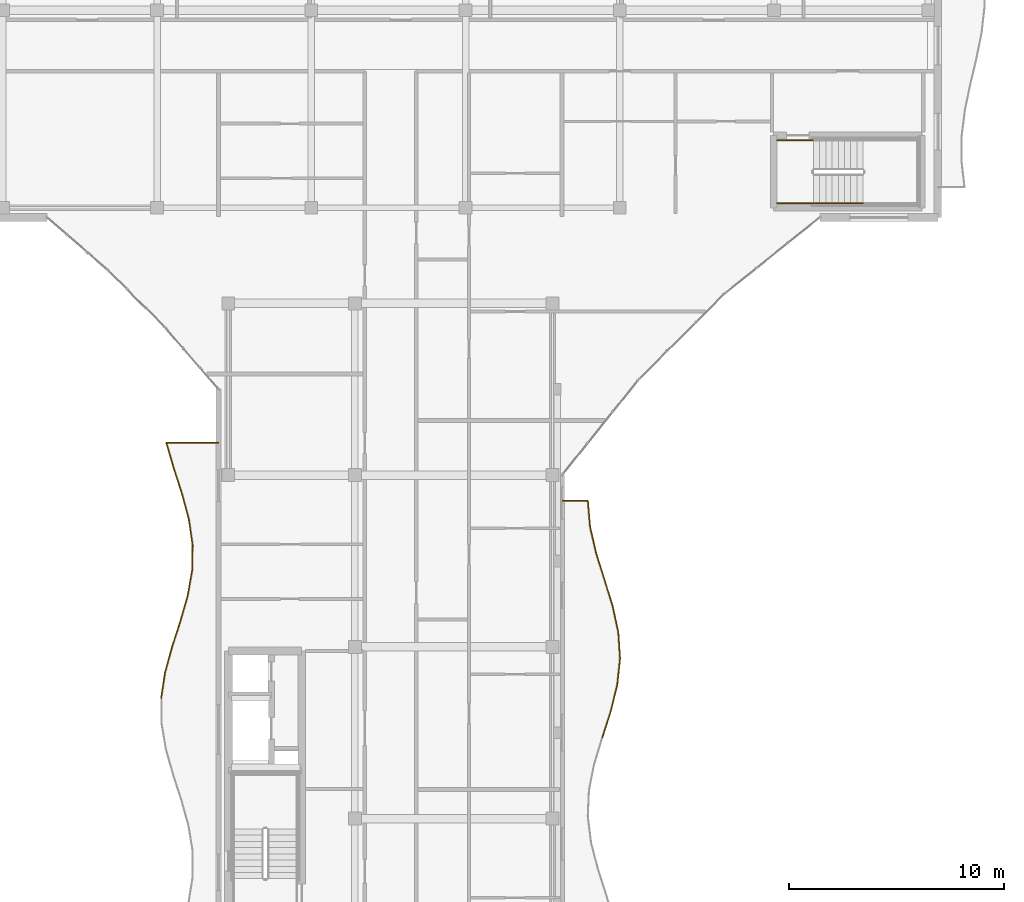
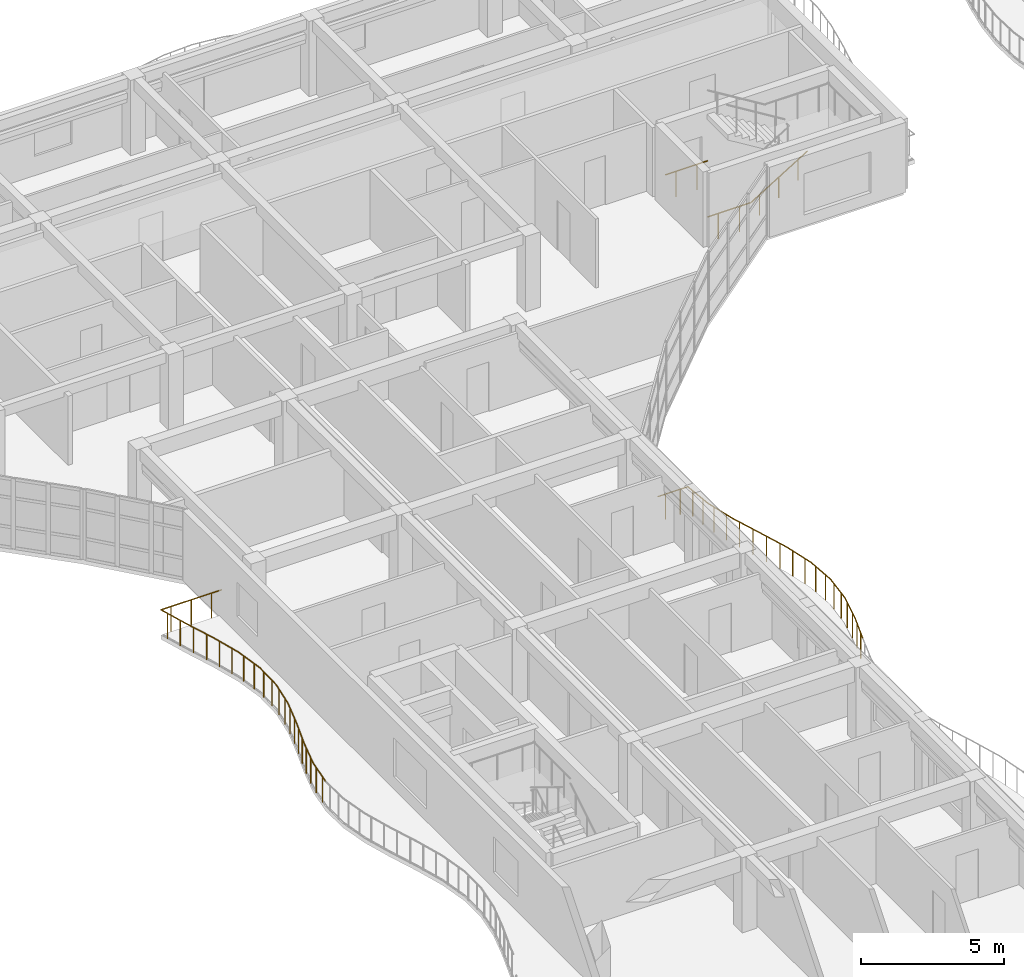
# One storey, part 69 of 79: 24 railings.
"""IFC4 building model written with IfcOpenShell, lengths in metres."""

import ifcopenshell
import ifcopenshell.guid

model = None  # the IFC model being written
_history = None  # IfcOwnerHistory: only IFC2X3 demands one
_inside = {}  # id of a spatial element -> (the spatial element, [elements in it])
_under = {}  # id of a project, library or spatial element -> (it, [spatial elements below it])
_declared = {}  # id of a project -> (the project, [libraries it declares])
_typed = {}  # id of a type object -> (the type object, [elements of that type])
_made_of = {}  # id of a material, layer set ... -> (it, [elements and type objects made of it])


def new_model(schema):
    """Start an empty IFC model of exactly this schema.

    Asked for "IFC4X3", IfcOpenShell would pick the latest addendum, in which some entities
    have other attributes; the version numbers below select the first issue.
    IFC2X3 requires an IfcOwnerHistory on every rooted entity: one is made here for all.
    """
    global model, _history
    if schema == "IFC4X3":
        model = ifcopenshell.file(schema_version=(4, 3, 0, 0))
    else:
        model = ifcopenshell.file(schema=schema)
    _inside.clear()
    _under.clear()
    _declared.clear()
    _typed.clear()
    _made_of.clear()
    _history = None
    if model.schema == "IFC2X3":
        org = make("IfcOrganization", Name="unknown")
        user = make(
            "IfcPersonAndOrganization",
            ThePerson=make("IfcPerson", FamilyName="unknown"),
            TheOrganization=org,
        )
        app = make(
            "IfcApplication",
            ApplicationDeveloper=org,
            Version="unknown",
            ApplicationFullName="unknown",
            ApplicationIdentifier="unknown",
        )
        _history = make(
            "IfcOwnerHistory",
            OwningUser=user,
            OwningApplication=app,
            ChangeAction="ADDED",
            CreationDate=0,
        )
    return model


def make(cls, **values):
    """One entity of the class cls with the attributes given. An attribute that is None is left unset."""
    return model.create_entity(
        cls, **{name: value for name, value in values.items() if value is not None}
    )


def rooted(cls, **values):
    """An entity with a GlobalId (a new one), such as an element, a storey or a relation."""
    return make(cls, GlobalId=ifcopenshell.guid.new(), OwnerHistory=_history, **values)


def si_unit(unit_type, name, prefix=None):
    """IfcSIUnit, for example si_unit("LENGTHUNIT", "METRE", prefix="MILLI")."""
    return make("IfcSIUnit", UnitType=unit_type, Prefix=prefix, Name=name)


def assignment(units):
    """IfcUnitAssignment: the units of a project."""
    return None if units is None else make("IfcUnitAssignment", Units=units)


def point(xyz):
    """IfcCartesianPoint."""
    return None if xyz is None else make("IfcCartesianPoint", Coordinates=xyz)


def direction(xyz):
    """IfcDirection."""
    return None if xyz is None else make("IfcDirection", DirectionRatios=xyz)


def frame(location, z_axis=None, x_axis=None):
    """IfcAxis2Placement3D, a coordinate frame: its origin and axes. An axis left out is left unset."""
    return make(
        "IfcAxis2Placement3D",
        Location=point(location),
        Axis=direction(z_axis),
        RefDirection=direction(x_axis),
    )


def frame_2d(location, x_axis=None):
    """IfcAxis2Placement2D, a coordinate frame in the plane: its origin and x axis."""
    return make(
        "IfcAxis2Placement2D", Location=point(location), RefDirection=direction(x_axis)
    )


def origin():
    """The frame at (0, 0, 0) with its axes left unset."""
    return frame((0.0, 0.0, 0.0))


def origin_2d():
    """The frame at (0, 0) in the plane with its x axis left unset."""
    return frame_2d((0.0, 0.0))


def place(relative_to, where):
    """IfcLocalPlacement: puts the frame where relative to a parent placement (None: the world)."""
    return make(
        "IfcLocalPlacement", PlacementRelTo=relative_to, RelativePlacement=where
    )


def context(
    kind, dimensions, precision=None, world=None, true_north=None, identifier=None
):
    """IfcGeometricRepresentationContext, for example the 3D "Model" context."""
    return make(
        "IfcGeometricRepresentationContext",
        ContextIdentifier=identifier,
        ContextType=kind,
        CoordinateSpaceDimension=dimensions,
        Precision=precision,
        WorldCoordinateSystem=world,
        TrueNorth=true_north,
    )


def subcontext(parent, identifier, kind, view, scale=None):
    """IfcGeometricRepresentationSubContext, for example "Body" below "Model"."""
    return make(
        "IfcGeometricRepresentationSubContext",
        ContextIdentifier=identifier,
        ContextType=kind,
        ParentContext=parent,
        TargetScale=scale,
        TargetView=view,
    )


def project(units=None, contexts=None):
    """IfcProject with its units and contexts."""
    return rooted(
        "IfcProject",
        Name="project",
        RepresentationContexts=contexts,
        UnitsInContext=assignment(units),
    )


def spatial(cls, under=None, at=None, **own):
    """A site, building, storey or space (cls), placed at a placement, below another one or the project."""
    s = rooted(cls, ObjectPlacement=at, **own)
    if under is not None:
        _under.setdefault(under.id(), (under, []))[1].append(s)
    return s


def profile(cls, at=None, kind="AREA", **sizes):
    """A parametric profile (cls). Its sizes go by their IFC names, for example OverallWidth=200.0."""
    return make(cls, ProfileType=kind, Position=at, **sizes)


def circle(**sizes):
    """IfcCircleProfileDef."""
    return profile("IfcCircleProfileDef", **sizes)


def extrude(swept, where, along, depth):
    """IfcExtrudedAreaSolid: the profile swept, set in the frame where, extruded along a direction by depth."""
    return make(
        "IfcExtrudedAreaSolid",
        SweptArea=swept,
        Position=where,
        ExtrudedDirection=direction(along),
        Depth=depth,
    )


def shape(context_of_items, identifier, shape_type, items):
    """IfcShapeRepresentation: the items that make up one representation, for example the "Body"."""
    return make(
        "IfcShapeRepresentation",
        ContextOfItems=context_of_items,
        RepresentationIdentifier=identifier,
        RepresentationType=shape_type,
        Items=items,
    )


def material(Name=None, Category=None):
    """IfcMaterial."""
    return make("IfcMaterial", Name=Name, Category=Category)


def made_of(thing, what):
    """Note that an element or type object is made of a material, layer set ...; save() writes the relation."""
    if what is not None:
        _made_of.setdefault(what.id(), (what, []))[1].append(thing)
    return thing


def type_object(cls, material=None, **own):
    """A type object (cls), such as IfcWallType, which elements share."""
    return made_of(rooted(cls, **own), material)


def element(
    cls,
    number,
    at=None,
    inside=None,
    cuts=None,
    type_object=None,
    material=None,
    context=None,
    identifier="Body",
    shape_type=None,
    held_by="IfcProductDefinitionShape",
    body=None,
    shapes=None,
    **own,
):
    """One element of the class cls, such as IfcWall. Its Tag is "e" and its number.

    at: its placement. inside: the storey or other place that contains it. cuts: it is an
    opening in that element (IfcRelVoidsElement). A single representation is given by context,
    identifier, shape_type and body (its items); several are given by shapes. held_by: the class
    of the entity that holds the representations. save() writes the other relations.
    """
    e = rooted(cls, Tag="e%d" % number, ObjectPlacement=at, **own)
    if body is not None:
        shapes = [shape(context, identifier, shape_type, body)]
    if shapes is not None:
        e.Representation = make(held_by, Representations=shapes)
    if inside is not None:
        _inside.setdefault(inside.id(), (inside, []))[1].append(e)
    if cuts is not None:
        rooted(
            "IfcRelVoidsElement", RelatingBuildingElement=cuts, RelatedOpeningElement=e
        )
    if type_object is not None:
        _typed.setdefault(type_object.id(), (type_object, []))[1].append(e)
    return made_of(e, material)


def aggregate(whole, parts):
    """IfcRelAggregates: a whole, such as a stair, and the parts it consists of."""
    return rooted("IfcRelAggregates", RelatingObject=whole, RelatedObjects=parts)


def save(model, path):
    """Write the relations noted so far, then the file.

    IfcRelAggregates (storeys below a building ...), IfcRelContainedInSpatialStructure (elements
    in a storey), IfcRelDefinesByType, IfcRelAssociatesMaterial and IfcRelDeclares: one each for
    every whole, place, type object, material and project.
    """
    for whole, parts in _under.values():
        aggregate(whole, parts)
    for where, things in _inside.values():
        rooted(
            "IfcRelContainedInSpatialStructure",
            RelatedElements=things,
            RelatingStructure=where,
        )
    for kind, things in _typed.values():
        rooted("IfcRelDefinesByType", RelatedObjects=things, RelatingType=kind)
    for what, things in _made_of.values():
        rooted("IfcRelAssociatesMaterial", RelatedObjects=things, RelatingMaterial=what)
    for by, libraries in _declared.values():
        rooted("IfcRelDeclares", RelatingContext=by, RelatedDefinitions=libraries)
    model.write(path)


model = new_model("IFC4")

# Units and contexts
model_context = context("Model", 3, precision=1e-05, world=origin(), true_north=direction((0.0, 1.0)))
body_context = subcontext(model_context, "Body", "Model", "MODEL_VIEW")
ifc_project = project(units=[si_unit("LENGTHUNIT", "METRE"), si_unit("AREAUNIT", "SQUARE_METRE"), si_unit("VOLUMEUNIT", "CUBIC_METRE"), si_unit("PLANEANGLEUNIT", "RADIAN"), si_unit("MASSUNIT", "GRAM", prefix="KILO")], contexts=[model_context])

# Site, building, storey
site_placement = place(None, origin())
site = spatial("IfcSite", under=ifc_project, at=site_placement, CompositionType="ELEMENT")
building_placement = place(site_placement, origin())
building = spatial("IfcBuilding", under=site, at=building_placement, Name="Keldmere Railside Commons", CompositionType="ELEMENT")
storey_placement = place(building_placement, frame((0.0, 0.0, 10.56005859375)))
storey = spatial("IfcBuildingStorey", under=building, at=storey_placement, Name="L03", CompositionType="ELEMENT", Elevation=10.56005859375)

# Railings
ifc_material = material(Name="Steel F-24 (S235)", Category="steel")
railing_type_1 = type_object("IfcRailingType", Name="Balcony & Terrace Steel Balustrade 1100", PredefinedType="BALUSTRADE", material=ifc_material)
railing_1_placement = place(storey_placement, frame((121.8759765625, 75.77490234375, 0.0)))
element("IfcRailing", 1, at=railing_1_placement, inside=storey, type_object=railing_type_1, Name="GR-1 GRD-L03-2159", PredefinedType="BALUSTRADE", context=body_context, shape_type="SweptSolid", body=[
    extrude(circle(Radius=0.02392578125, at=origin_2d()), frame((0.0, 0.0, 1.076171875), z_axis=(0.30378352559, 0.952741082131, 0.0), x_axis=(-0.952741082131, 0.30378352559, 0.0)), (0.0, 0.0, 1.0), 1.285888671875),
    extrude(circle(Radius=0.02099609375, at=origin_2d()), frame((0.09765625, 0.30615234375, 0.0)), (0.0, 0.0, 1.0), 1.048095703125),
    extrude(circle(Radius=0.02099609375, at=origin_2d()), frame((0.29296875, 0.9189453125, 0.0)), (0.0, 0.0, 1.0), 1.048095703125),
])
railing_2_placement = place(storey_placement, frame((122.2666015625, 77.0, 0.0)))
element("IfcRailing", 2, at=railing_2_placement, inside=storey, type_object=railing_type_1, Name="GR-1 GRD-L03-2160", PredefinedType="BALUSTRADE", context=body_context, shape_type="SweptSolid", body=[
    extrude(circle(Radius=0.02392578125, at=origin_2d()), frame((0.0, 0.0, 1.076171875), z_axis=(0.239529811511, 0.970889009824, 0.0), x_axis=(-0.970889009824, 0.239529811511, 0.0)), (0.0, 0.0, 1.0), 1.26171875),
    extrude(circle(Radius=0.02099609375, at=origin_2d()), frame((0.07568359375, 0.30615234375, 0.0)), (0.0, 0.0, 1.0), 1.048095703125),
    extrude(circle(Radius=0.02099609375, at=origin_2d()), frame((0.2265625, 0.9189453125, 0.0)), (0.0, 0.0, 1.0), 1.048095703125),
])
railing_3_placement = place(storey_placement, frame((122.56884765625, 78.22509765625, 0.0)))
element("IfcRailing", 3, at=railing_3_placement, inside=storey, type_object=railing_type_1, Name="GR-1 GRD-L03-2161", PredefinedType="BALUSTRADE", context=body_context, shape_type="SweptSolid", body=[
    extrude(circle(Radius=0.02392578125, at=origin_2d()), frame((0.0, 0.0, 1.076171875), z_axis=(0.105252260248, 0.994445554926, 0.0), x_axis=(-0.994445554926, 0.105252260248, 0.0)), (0.0, 0.0, 1.0), 1.231689453125),
    extrude(circle(Radius=0.02099609375, at=origin_2d()), frame((0.032470703125, 0.30615234375, 0.0)), (0.0, 0.0, 1.0), 1.048095703125),
    extrude(circle(Radius=0.02099609375, at=origin_2d()), frame((0.09716796875, 0.918701171875, 0.0)), (0.0, 0.0, 1.0), 1.048095703125),
])
railing_4_placement = place(storey_placement, frame((122.698486328125, 79.449951171875, 0.0)))
element("IfcRailing", 4, at=railing_4_placement, inside=storey, type_object=railing_type_1, Name="GR-1 GRD-L03-2162", PredefinedType="BALUSTRADE", context=body_context, shape_type="SweptSolid", body=[
    extrude(circle(Radius=0.02392578125, at=origin_2d()), frame((0.0, 0.0, 1.076171875), z_axis=(-0.064631425112, 0.997909203729, 0.0), x_axis=(-0.997909203729, -0.064631425112, 0.0)), (0.0, 0.0, 1.0), 1.227783203125),
    extrude(circle(Radius=0.02099609375, at=origin_2d()), frame((-0.019775390625, 0.30615234375, 0.0)), (0.0, 0.0, 1.0), 1.048095703125),
    extrude(circle(Radius=0.02099609375, at=origin_2d()), frame((-0.0595703125, 0.9189453125, 0.0)), (0.0, 0.0, 1.0), 1.048095703125),
])
railing_5_placement = place(storey_placement, frame((122.619140625, 80.675048828125, 0.0)))
element("IfcRailing", 5, at=railing_5_placement, inside=storey, type_object=railing_type_1, Name="GR-1 GRD-L03-2163", PredefinedType="BALUSTRADE", context=body_context, shape_type="SweptSolid", body=[
    extrude(circle(Radius=0.02392578125, at=origin_2d()), frame((0.0, 0.0, 1.076171875), z_axis=(-0.212122335505, 0.977243119587, 0.0), x_axis=(-0.977243119587, -0.212122335505, 0.0)), (0.0, 0.0, 1.0), 1.25341796875),
    extrude(circle(Radius=0.02099609375, at=origin_2d()), frame((-0.06640625, 0.30615234375, 0.0)), (0.0, 0.0, 1.0), 1.048095703125),
    extrude(circle(Radius=0.02099609375, at=origin_2d()), frame((-0.199462890625, 0.918701171875, 0.0)), (0.0, 0.0, 1.0), 1.048095703125),
])
railing_6_placement = place(storey_placement, frame((122.353271484375, 81.89990234375, 0.0)))
element("IfcRailing", 6, at=railing_6_placement, inside=storey, type_object=railing_type_1, Name="GR-1 GRD-L03-2164", PredefinedType="BALUSTRADE", context=body_context, shape_type="SweptSolid", body=[
    extrude(circle(Radius=0.02392578125, at=origin_2d()), frame((0.0, 0.0, 1.076171875), z_axis=(-0.294955468219, 0.955511000338, 0.0), x_axis=(-0.955511000338, -0.294955468219, 0.0)), (0.0, 0.0, 1.0), 1.2822265625),
    extrude(circle(Radius=0.02099609375, at=origin_2d()), frame((-0.094482421875, 0.30615234375, 0.0)), (0.0, 0.0, 1.0), 1.048095703125),
    extrude(circle(Radius=0.02099609375, at=origin_2d()), frame((-0.28369140625, 0.9189453125, 0.0)), (0.0, 0.0, 1.0), 1.048095703125),
])
railing_7_placement = place(storey_placement, frame((121.97509765625, 83.125, 0.0)))
element("IfcRailing", 7, at=railing_7_placement, inside=storey, type_object=railing_type_1, Name="GR-1 GRD-L03-2165", PredefinedType="BALUSTRADE", context=body_context, shape_type="SweptSolid", body=[
    extrude(circle(Radius=0.02392578125, at=origin_2d()), frame((0.0, 0.0, 1.076171875), z_axis=(-0.300157759536, 0.953889574002, 0.0), x_axis=(-0.953889574002, -0.300157759536, 0.0)), (0.0, 0.0, 1.0), 1.284423828125),
    extrude(circle(Radius=0.02099609375, at=origin_2d()), frame((-0.096435546875, 0.30615234375, 0.0)), (0.0, 0.0, 1.0), 1.048095703125),
    extrude(circle(Radius=0.02099609375, at=origin_2d()), frame((-0.2890625, 0.9189453125, 0.0)), (0.0, 0.0, 1.0), 1.048095703125),
])
railing_8_placement = place(storey_placement, frame((121.589599609375, 84.35009765625, 0.0)))
element("IfcRailing", 8, at=railing_8_placement, inside=storey, type_object=railing_type_1, Name="GR-1 GRD-L03-2166", PredefinedType="BALUSTRADE", context=body_context, shape_type="SweptSolid", body=[
    extrude(circle(Radius=0.02392578125, at=origin_2d()), frame((0.0, 0.0, 1.076171875), z_axis=(-0.226560609792, 0.973997068831, 0.0), x_axis=(-0.973997068831, -0.226560609792, 0.0)), (0.0, 0.0, 1.0), 1.257568359375),
    extrude(circle(Radius=0.02099609375, at=origin_2d()), frame((-0.0712890625, 0.30615234375, 0.0)), (0.0, 0.0, 1.0), 1.048095703125),
    extrude(circle(Radius=0.02099609375, at=origin_2d()), frame((-0.213623046875, 0.918701171875, 0.0)), (0.0, 0.0, 1.0), 1.048095703125),
])
railing_9_placement = place(storey_placement, frame((121.3046875, 85.574951171875, 0.0)))
element("IfcRailing", 9, at=railing_9_placement, inside=storey, type_object=railing_type_1, Name="GR-1 GRD-L03-2167", PredefinedType="BALUSTRADE", context=body_context, shape_type="SweptSolid", body=[
    extrude(circle(Radius=0.02392578125, at=origin_2d()), frame((0.0, 0.0, 1.076171875), z_axis=(-0.085181502276, 0.996365450861, 0.0), x_axis=(-0.996365450861, -0.085181502276, 0.0)), (0.0, 0.0, 1.0), 1.2294921875),
    extrude(circle(Radius=0.02099609375, at=origin_2d()), frame((-0.026123046875, 0.30615234375, 0.0)), (0.0, 0.0, 1.0), 1.048095703125),
    extrude(circle(Radius=0.02099609375, at=origin_2d()), frame((-0.07861328125, 0.9189453125, 0.0)), (0.0, 0.0, 1.0), 1.048095703125),
])
railing_10_placement = place(storey_placement, frame((121.199951171875, 86.800048828125, 0.0)))
element("IfcRailing", 10, at=railing_10_placement, inside=storey, type_object=railing_type_1, Name="GR-1 GRD-L03-2168", PredefinedType="BALUSTRADE", context=body_context, shape_type="SweptSolid", body=[
    extrude(circle(Radius=0.02392578125, at=origin_2d()), frame((0.0, 0.0, 1.076171875), z_axis=(-1.0, 0.0, 0.0), x_axis=(0.0, -1.0, 0.0)), (0.0, 0.0, 1.0), 1.199951171875),
    extrude(circle(Radius=0.02099609375, at=origin_2d()), frame((-0.300048828125, 0.0, 0.0)), (0.0, 0.0, 1.0), 1.048095703125),
    extrude(circle(Radius=0.02099609375, at=origin_2d()), frame((-0.89990234375, 0.0, 0.0)), (0.0, 0.0, 1.0), 1.048095703125),
])
railing_11_placement = place(storey_placement, frame((101.320068359375, 77.611083984375, 0.0)))
element("IfcRailing", 11, at=railing_11_placement, inside=storey, type_object=railing_type_1, Name="GR-1 GRD-L03-2187", PredefinedType="BALUSTRADE", context=body_context, shape_type="SweptSolid", body=[
    extrude(circle(Radius=0.02392578125, at=origin_2d()), frame((0.0, 0.0, 1.076171875), z_axis=(0.15082152552, 0.988561008456, 0.0), x_axis=(-0.988561008456, 0.15082152552, 0.0)), (0.0, 0.0, 1.0), 1.20263671875),
    extrude(circle(Radius=0.02099609375, at=origin_2d()), frame((0.04541015625, 0.29736328125, 0.0)), (0.0, 0.0, 1.0), 1.048095703125),
    extrude(circle(Radius=0.02099609375, at=origin_2d()), frame((0.135986328125, 0.8916015625, 0.0)), (0.0, 0.0, 1.0), 1.048095703125),
])
railing_12_placement = place(storey_placement, frame((101.50146484375, 78.800048828125, 0.0)))
element("IfcRailing", 12, at=railing_12_placement, inside=storey, type_object=railing_type_1, Name="GR-1 GRD-L03-2188", PredefinedType="BALUSTRADE", context=body_context, shape_type="SweptSolid", body=[
    extrude(circle(Radius=0.02392578125, at=origin_2d()), frame((0.0, 0.0, 1.076171875), z_axis=(0.2641897237, 0.964470730448, 0.0), x_axis=(-0.964470730448, 0.2641897237, 0.0)), (0.0, 0.0, 1.0), 1.232666015625),
    extrude(circle(Radius=0.02099609375, at=origin_2d()), frame((0.08154296875, 0.29736328125, 0.0)), (0.0, 0.0, 1.0), 1.048095703125),
    extrude(circle(Radius=0.02099609375, at=origin_2d()), frame((0.244140625, 0.8916015625, 0.0)), (0.0, 0.0, 1.0), 1.048095703125),
])
railing_13_placement = place(storey_placement, frame((101.8271484375, 79.989013671875, 0.0)))
element("IfcRailing", 13, at=railing_13_placement, inside=storey, type_object=railing_type_1, Name="GR-1 GRD-L03-2189", PredefinedType="BALUSTRADE", context=body_context, shape_type="SweptSolid", body=[
    extrude(circle(Radius=0.02392578125, at=origin_2d()), frame((0.0, 0.0, 1.076171875), z_axis=(0.307596542281, 0.95151687698, 0.0), x_axis=(-0.95151687698, 0.307596542281, 0.0)), (0.0, 0.0, 1.0), 1.249267578125),
    extrude(circle(Radius=0.02099609375, at=origin_2d()), frame((0.09619140625, 0.297119140625, 0.0)), (0.0, 0.0, 1.0), 1.048095703125),
    extrude(circle(Radius=0.02099609375, at=origin_2d()), frame((0.2880859375, 0.8916015625, 0.0)), (0.0, 0.0, 1.0), 1.048095703125),
])
railing_14_placement = place(storey_placement, frame((102.21142578125, 81.177734375, 0.0)))
element("IfcRailing", 14, at=railing_14_placement, inside=storey, type_object=railing_type_1, Name="GR-1 GRD-L03-2190", PredefinedType="BALUSTRADE", context=body_context, shape_type="SweptSolid", body=[
    extrude(circle(Radius=0.02392578125, at=origin_2d()), frame((0.0, 0.0, 1.076171875), z_axis=(0.276466907045, 0.96102343848, 0.0), x_axis=(-0.96102343848, 0.276466907045, 0.0)), (0.0, 0.0, 1.0), 1.2373046875),
    extrude(circle(Radius=0.02099609375, at=origin_2d()), frame((0.08544921875, 0.29736328125, 0.0)), (0.0, 0.0, 1.0), 1.048095703125),
    extrude(circle(Radius=0.02099609375, at=origin_2d()), frame((0.256591796875, 0.8916015625, 0.0)), (0.0, 0.0, 1.0), 1.048095703125),
])
railing_15_placement = place(storey_placement, frame((102.553466796875, 82.36669921875, 0.0)))
element("IfcRailing", 15, at=railing_15_placement, inside=storey, type_object=railing_type_1, Name="GR-1 GRD-L03-2191", PredefinedType="BALUSTRADE", context=body_context, shape_type="SweptSolid", body=[
    extrude(circle(Radius=0.02392578125, at=origin_2d()), frame((0.0, 0.0, 1.076171875), z_axis=(0.173312309549, 0.984866916572, 0.0), x_axis=(-0.984866916572, 0.173312309549, 0.0)), (0.0, 0.0, 1.0), 1.207275390625),
    extrude(circle(Radius=0.02099609375, at=origin_2d()), frame((0.05224609375, 0.29736328125, 0.0)), (0.0, 0.0, 1.0), 1.048095703125),
    extrude(circle(Radius=0.02099609375, at=origin_2d()), frame((0.156982421875, 0.8916015625, 0.0)), (0.0, 0.0, 1.0), 1.048095703125),
])
railing_16_placement = place(storey_placement, frame((102.7626953125, 83.5556640625, 0.0)))
element("IfcRailing", 16, at=railing_16_placement, inside=storey, type_object=railing_type_1, Name="GR-1 GRD-L03-2192", PredefinedType="BALUSTRADE", context=body_context, shape_type="SweptSolid", body=[
    extrude(circle(Radius=0.02392578125, at=origin_2d()), frame((0.0, 0.0, 1.076171875), z_axis=(0.01848113141, 0.999829209306, 0.0), x_axis=(-0.999829209306, 0.01848113141, 0.0)), (0.0, 0.0, 1.0), 1.18896484375),
    extrude(circle(Radius=0.02099609375, at=origin_2d()), frame((0.00537109375, 0.297119140625, 0.0)), (0.0, 0.0, 1.0), 1.048095703125),
    extrude(circle(Radius=0.02099609375, at=origin_2d()), frame((0.0166015625, 0.8916015625, 0.0)), (0.0, 0.0, 1.0), 1.048095703125),
])
railing_17_placement = place(storey_placement, frame((102.78466796875, 84.744384765625, 0.0)))
element("IfcRailing", 17, at=railing_17_placement, inside=storey, type_object=railing_type_1, Name="GR-1 GRD-L03-2193", PredefinedType="BALUSTRADE", context=body_context, shape_type="SweptSolid", body=[
    extrude(circle(Radius=0.02392578125, at=origin_2d()), frame((0.0, 0.0, 1.076171875), z_axis=(-0.142673190228, 0.989769852436, 0.0), x_axis=(-0.989769852436, -0.142673190228, 0.0)), (0.0, 0.0, 1.0), 1.201171875),
    extrude(circle(Radius=0.02099609375, at=origin_2d()), frame((-0.04296875, 0.29736328125, 0.0)), (0.0, 0.0, 1.0), 1.048095703125),
    extrude(circle(Radius=0.02099609375, at=origin_2d()), frame((-0.12841796875, 0.8916015625, 0.0)), (0.0, 0.0, 1.0), 1.048095703125),
])
railing_18_placement = place(storey_placement, frame((102.61328125, 85.933349609375, 0.0)))
element("IfcRailing", 18, at=railing_18_placement, inside=storey, type_object=railing_type_1, Name="GR-1 GRD-L03-2194", PredefinedType="BALUSTRADE", context=body_context, shape_type="SweptSolid", body=[
    extrude(circle(Radius=0.02392578125, at=origin_2d()), frame((0.0, 0.0, 1.076171875), z_axis=(-0.259575209453, 0.965722895368, 0.0), x_axis=(-0.965722895368, -0.259575209453, 0.0)), (0.0, 0.0, 1.0), 1.231201171875),
    extrude(circle(Radius=0.02099609375, at=origin_2d()), frame((-0.079833984375, 0.29736328125, 0.0)), (0.0, 0.0, 1.0), 1.048095703125),
    extrude(circle(Radius=0.02099609375, at=origin_2d()), frame((-0.23974609375, 0.8916015625, 0.0)), (0.0, 0.0, 1.0), 1.048095703125),
])
railing_19_placement = place(storey_placement, frame((102.293701171875, 87.122314453125, 0.0)))
element("IfcRailing", 19, at=railing_19_placement, inside=storey, type_object=railing_type_1, Name="GR-1 GRD-L03-2195", PredefinedType="BALUSTRADE", context=body_context, shape_type="SweptSolid", body=[
    extrude(circle(Radius=0.02392578125, at=origin_2d()), frame((0.0, 0.0, 1.076171875), z_axis=(-0.307242611771, 0.951631219282, 0.0), x_axis=(-0.951631219282, -0.307242611771, 0.0)), (0.0, 0.0, 1.0), 1.2490234375),
    extrude(circle(Radius=0.02099609375, at=origin_2d()), frame((-0.095947265625, 0.297119140625, 0.0)), (0.0, 0.0, 1.0), 1.048095703125),
    extrude(circle(Radius=0.02099609375, at=origin_2d()), frame((-0.287841796875, 0.8916015625, 0.0)), (0.0, 0.0, 1.0), 1.048095703125),
])
railing_20_placement = place(storey_placement, frame((101.909912109375, 88.31103515625, 0.0)))
element("IfcRailing", 20, at=railing_20_placement, inside=storey, type_object=railing_type_1, Name="GR-1 GRD-L03-2196", PredefinedType="BALUSTRADE", context=body_context, shape_type="SweptSolid", body=[
    extrude(circle(Radius=0.02392578125, at=origin_2d()), frame((0.0, 0.0, 1.076171875), z_axis=(-0.280105969419, 0.959969085906, 0.0), x_axis=(-0.959969085906, -0.280105969419, 0.0)), (0.0, 0.0, 1.0), 1.238525390625),
    extrude(circle(Radius=0.02099609375, at=origin_2d()), frame((-0.086669921875, 0.29736328125, 0.0)), (0.0, 0.0, 1.0), 1.048095703125),
    extrude(circle(Radius=0.02099609375, at=origin_2d()), frame((-0.26025390625, 0.8916015625, 0.0)), (0.0, 0.0, 1.0), 1.048095703125),
])
railing_21_placement = place(storey_placement, frame((101.56298828125, 89.5, 0.0)))
element("IfcRailing", 21, at=railing_21_placement, inside=storey, type_object=railing_type_1, Name="GR-1 GRD-L03-2197", PredefinedType="BALUSTRADE", context=body_context, shape_type="SweptSolid", body=[
    extrude(circle(Radius=0.02392578125, at=origin_2d()), frame((0.0, 0.0, 1.076171875), z_axis=(1.0, 0.0, 0.0), x_axis=(0.0, 1.0, 0.0)), (0.0, 0.0, 1.0), 2.43701171875),
    extrude(circle(Radius=0.02099609375, at=origin_2d()), frame((0.40625, 0.0, 0.0)), (0.0, 0.0, 1.0), 1.048095703125),
    extrude(circle(Radius=0.02099609375, at=origin_2d()), frame((1.218505859375, 0.0, 0.0)), (0.0, 0.0, 1.0), 1.048095703125),
    extrude(circle(Radius=0.02099609375, at=origin_2d()), frame((2.03076171875, 0.0, 0.0)), (0.0, 0.0, 1.0), 1.048095703125),
])
railing_type_2 = type_object("IfcRailingType", Name="Stair Well Steel Guardrail 1100", PredefinedType="BALUSTRADE", material=ifc_material)
for number, where, name in (
    (22, (130.0, 100.64990234375, 0.0), "L03 ST-B2 stair guard 8"),
    (23, (130.0, 103.60009765625, 0.0), "L03 ST-B2 stair guard 9"),
):
    element("IfcRailing", number, at=place(storey_placement, frame(where)), inside=storey, type_object=railing_type_2, Name=name, PredefinedType="BALUSTRADE", context=body_context, shape_type="SweptSolid", body=[
        extrude(circle(Radius=0.02392578125, at=origin_2d()), frame((0.0, 0.0, 1.076171875), z_axis=(1.0, 0.0, 0.0), x_axis=(0.0, 1.0, 0.0)), (0.0, 0.0, 1.0), 1.699951171875),
        extrude(circle(Radius=0.02099609375, at=origin_2d()), frame((0.425048828125, 0.0, 0.0)), (0.0, 0.0, 1.0), 1.048095703125),
        extrude(circle(Radius=0.02099609375, at=origin_2d()), frame((1.27490234375, 0.0, 0.0)), (0.0, 0.0, 1.0), 1.048095703125),
    ])
railing_type_3 = type_object("IfcRailingType", Name="Wall-Mounted Tubular Steel Handrail 900", PredefinedType="HANDRAIL", material=ifc_material)
railing_22_placement = place(storey_placement, frame((131.699951171875, 100.64990234375, 0.177734375)))
element("IfcRailing", 24, at=railing_22_placement, inside=storey, type_object=railing_type_3, Name="L03 ST-B2 stair handrail 1", PredefinedType="HANDRAIL", context=body_context, shape_type="SweptSolid", body=[
    extrude(circle(Radius=0.02392578125, at=origin_2d()), frame((0.0, 0.0, 0.8759765625), z_axis=(0.852578041948, 0.0, 0.522599925744), x_axis=(0.0, 1.0, 0.0)), (0.0, 0.0, 1.0), 2.72119140625),
    extrude(circle(Radius=0.02099609375, at=origin_2d()), frame((0.38671875, 0.0, 0.237060546875)), (0.0, 0.0, 1.0), 0.847900390625),
    extrude(circle(Radius=0.02099609375, at=origin_2d()), frame((1.16015625, 0.0, 0.7109375)), (0.0, 0.0, 1.0), 0.847900390625),
    extrude(circle(Radius=0.02099609375, at=origin_2d()), frame((1.933349609375, 0.0, 1.18505859375)), (0.0, 0.0, 1.0), 0.847900390625),
])

save(model, "model.ifc")
